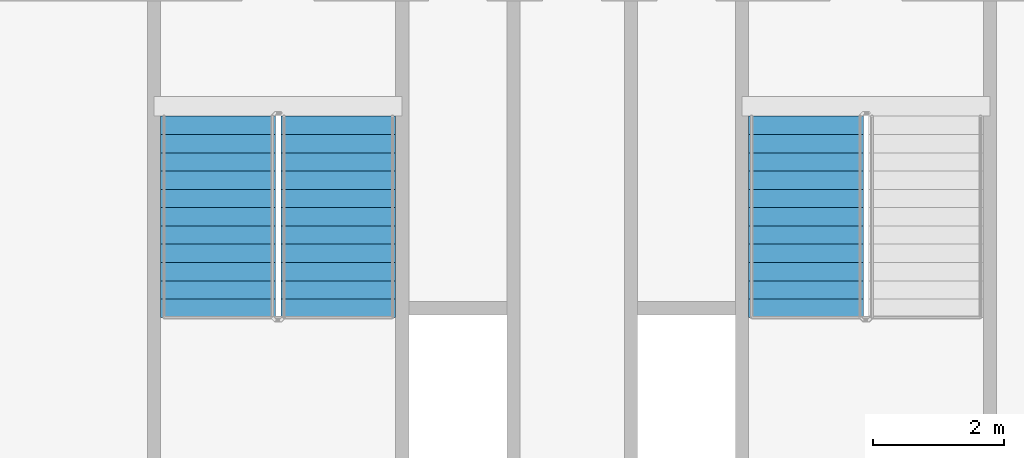
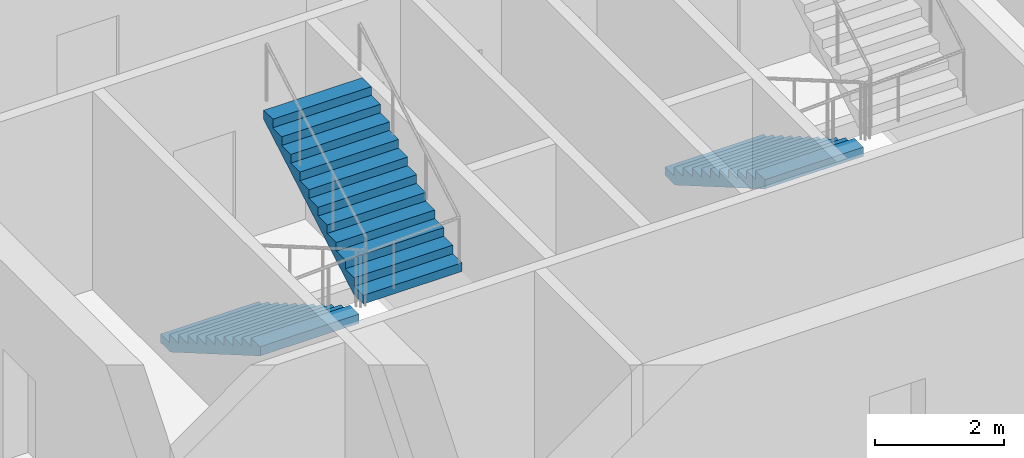
# One storey, part 15 of 22: 3 stair flights, 2 elements without a shape of their own.
"""IFC4 building model written with IfcOpenShell, lengths in metres."""

from ifc_helpers import new_model, si_unit, direction, frame, origin, place, context, subcontext, project, spatial, faceted_brep, material, type_object, element, aggregate, save


model = new_model("IFC4")

# Units and contexts
model_context = context("Model", 3, precision=1e-05, world=origin(), true_north=direction((0.0, 1.0)))
body_context = subcontext(model_context, "Body", "Model", "MODEL_VIEW")
ifc_project = project(units=[si_unit("LENGTHUNIT", "METRE"), si_unit("AREAUNIT", "SQUARE_METRE"), si_unit("VOLUMEUNIT", "CUBIC_METRE"), si_unit("PLANEANGLEUNIT", "RADIAN"), si_unit("MASSUNIT", "GRAM", prefix="KILO")], contexts=[model_context])

# Site, building, storey
site_placement = place(None, origin())
site = spatial("IfcSite", under=ifc_project, at=site_placement, CompositionType="ELEMENT")
building_placement = place(site_placement, origin())
building = spatial("IfcBuilding", under=site, at=building_placement, Name="Tarsis Ring Headquarters", CompositionType="ELEMENT")
storey_placement = place(building_placement, frame((0.0, 0.0, 339.199951171875)))
storey = spatial("IfcBuildingStorey", under=building, at=storey_placement, Name="L80", CompositionType="ELEMENT", Elevation=339.199951171875)

# Stair, stair flights
ifc_material_1 = material(Name="Core stair 1760")
stair_type = type_object("IfcStairType", Name="Core stair 1760", PredefinedType="HALF_TURN_STAIR", material=ifc_material_1)
stair_1_placement = place(storey_placement, origin())
stair_1 = element("IfcStair", 1, at=stair_1_placement, inside=storey, type_object=stair_type, Name="L80 Exit stair C", PredefinedType="HALF_TURN_STAIR")
ifc_material_2 = material(Name="Concrete C40/50", Category="concrete")
stair_flight_type = type_object("IfcStairFlightType", Name="Core stair flight 1760", PredefinedType="STRAIGHT", material=ifc_material_2)
stair_flight_1_placement = place(storey_placement, frame((-5.419921875, -3.659912109375, 0.0), z_axis=(0.0, 0.0, 1.0), x_axis=(0.0, -1.0, 0.0)))
stair_flight_1 = element("IfcStairFlight", 2, at=stair_flight_1_placement, type_object=stair_flight_type, Name="Stair ST3 flight 1", NumberOfRisers=12, NumberOfTreads=11, PredefinedType="STRAIGHT", RiserHeight=0.1625, TreadLength=0.28, context=body_context, shape_type="Brep", body=[
    faceted_brep([(0.0, 0.8798828125, 0.0), (0.0, 0.8798828125, 0.16259765625), (0.280029296875, 0.8798828125, 0.16259765625), (0.280029296875, 0.8798828125, 0.324951171875), (0.56005859375, 0.8798828125, 0.324951171875), (0.56005859375, 0.8798828125, 0.487548828125), (0.840087890625, 0.8798828125, 0.487548828125), (0.840087890625, 0.8798828125, 0.64990234375), (1.1201171875, 0.8798828125, 0.64990234375), (1.1201171875, 0.8798828125, 0.8125), (1.39990234375, 0.8798828125, 0.8125), (1.39990234375, 0.8798828125, 0.97509765625), (1.679931640625, 0.8798828125, 0.97509765625), (1.679931640625, 0.8798828125, 1.137451171875), (1.9599609375, 0.8798828125, 1.137451171875), (1.9599609375, 0.8798828125, 1.300048828125), (2.239990234375, 0.8798828125, 1.300048828125), (2.239990234375, 0.8798828125, 1.46240234375), (2.52001953125, 0.8798828125, 1.46240234375), (2.52001953125, 0.8798828125, 1.625), (2.800048828125, 0.8798828125, 1.625), (2.800048828125, 0.8798828125, 1.78759765625), (3.080078125, 0.8798828125, 1.78759765625), (3.080078125, 0.8798828125, 1.6142578125), (0.298583984375, 0.8798828125, 0.0), (0.298583984375, -0.8798828125, 0.0), (3.080078125, -0.8798828125, 1.6142578125), (3.080078125, -0.8798828125, 1.78759765625), (2.800048828125, -0.8798828125, 1.78759765625), (2.800048828125, -0.8798828125, 1.625), (2.52001953125, -0.8798828125, 1.625), (2.52001953125, -0.8798828125, 1.46240234375), (2.239990234375, -0.8798828125, 1.46240234375), (2.239990234375, -0.8798828125, 1.300048828125), (1.9599609375, -0.8798828125, 1.300048828125), (1.9599609375, -0.8798828125, 1.137451171875), (1.679931640625, -0.8798828125, 1.137451171875), (1.679931640625, -0.8798828125, 0.97509765625), (1.39990234375, -0.8798828125, 0.97509765625), (1.39990234375, -0.8798828125, 0.8125), (1.1201171875, -0.8798828125, 0.8125), (1.1201171875, -0.8798828125, 0.64990234375), (0.840087890625, -0.8798828125, 0.64990234375), (0.840087890625, -0.8798828125, 0.487548828125), (0.56005859375, -0.8798828125, 0.487548828125), (0.56005859375, -0.8798828125, 0.324951171875), (0.280029296875, -0.8798828125, 0.324951171875), (0.280029296875, -0.8798828125, 0.16259765625), (0.0, -0.8798828125, 0.16259765625), (0.0, -0.8798828125, 0.0), (0.0, -0.43994140625, 0.16259765625), (0.0, -0.43994140625, 0.0), (0.0, 0.0, 0.16259765625), (0.0, 0.0, 0.0), (0.0, 0.43994140625, 0.16259765625), (0.0, 0.43994140625, 0.0), (0.280029296875, -0.43994140625, 0.16259765625), (0.280029296875, 0.0, 0.16259765625), (0.280029296875, 0.43994140625, 0.16259765625), (0.280029296875, -0.43994140625, 0.324951171875), (0.280029296875, 0.0, 0.324951171875), (0.280029296875, 0.43994140625, 0.324951171875), (0.56005859375, -0.43994140625, 0.324951171875), (0.56005859375, 0.0, 0.324951171875), (0.56005859375, 0.43994140625, 0.324951171875), (0.56005859375, -0.43994140625, 0.487548828125), (0.56005859375, 0.0, 0.487548828125), (0.56005859375, 0.43994140625, 0.487548828125), (0.840087890625, -0.43994140625, 0.487548828125), (0.840087890625, 0.0, 0.487548828125), (0.840087890625, 0.43994140625, 0.487548828125), (0.840087890625, -0.43994140625, 0.64990234375), (0.840087890625, 0.0, 0.64990234375), (0.840087890625, 0.43994140625, 0.64990234375), (1.1201171875, -0.43994140625, 0.64990234375), (1.1201171875, 0.0, 0.64990234375), (1.1201171875, 0.43994140625, 0.64990234375), (1.1201171875, -0.43994140625, 0.8125), (1.1201171875, 0.0, 0.8125), (1.1201171875, 0.43994140625, 0.8125), (1.39990234375, -0.43994140625, 0.8125), (1.39990234375, 0.0, 0.8125), (1.39990234375, 0.43994140625, 0.8125), (1.39990234375, -0.43994140625, 0.97509765625), (1.39990234375, 0.0, 0.97509765625), (1.39990234375, 0.43994140625, 0.97509765625), (1.679931640625, -0.43994140625, 0.97509765625), (1.679931640625, 0.0, 0.97509765625), (1.679931640625, 0.43994140625, 0.97509765625), (1.679931640625, -0.43994140625, 1.137451171875), (1.679931640625, 0.0, 1.137451171875), (1.679931640625, 0.43994140625, 1.137451171875), (1.9599609375, -0.43994140625, 1.137451171875), (1.9599609375, 0.0, 1.137451171875), (1.9599609375, 0.43994140625, 1.137451171875), (1.9599609375, -0.43994140625, 1.300048828125), (1.9599609375, 0.0, 1.300048828125), (1.9599609375, 0.43994140625, 1.300048828125), (2.239990234375, -0.43994140625, 1.300048828125), (2.239990234375, 0.0, 1.300048828125), (2.239990234375, 0.43994140625, 1.300048828125), (2.239990234375, -0.43994140625, 1.46240234375), (2.239990234375, 0.0, 1.46240234375), (2.239990234375, 0.43994140625, 1.46240234375), (2.52001953125, -0.43994140625, 1.46240234375), (2.52001953125, 0.0, 1.46240234375), (2.52001953125, 0.43994140625, 1.46240234375), (2.52001953125, -0.43994140625, 1.625), (2.52001953125, 0.0, 1.625), (2.52001953125, 0.43994140625, 1.625), (2.800048828125, -0.43994140625, 1.625), (2.800048828125, 0.0, 1.625), (2.800048828125, 0.43994140625, 1.625), (2.800048828125, -0.43994140625, 1.78759765625), (2.800048828125, 0.0, 1.78759765625), (2.800048828125, 0.43994140625, 1.78759765625), (3.080078125, -0.43994140625, 1.78759765625), (3.080078125, 0.0, 1.78759765625), (3.080078125, 0.43994140625, 1.78759765625), (3.080078125, -0.43994140625, 1.6142578125), (3.080078125, 0.0, 1.6142578125), (3.080078125, 0.43994140625, 1.6142578125), (0.298583984375, -0.43994140625, 0.0), (0.298583984375, 0.0, 0.0), (0.298583984375, 0.43994140625, 0.0)], [[[0, 1, 2, 3, 4, 5, 6, 7, 8, 9, 10, 11, 12, 13, 14, 15, 16, 17, 18, 19, 20, 21, 22, 23, 24]], [[25, 26, 27, 28, 29, 30, 31, 32, 33, 34, 35, 36, 37, 38, 39, 40, 41, 42, 43, 44, 45, 46, 47, 48, 49]], [[49, 48, 50, 51]], [[51, 50, 52, 53]], [[53, 52, 54, 55]], [[55, 54, 1, 0]], [[48, 47, 56, 50]], [[50, 56, 57, 52]], [[52, 57, 58, 54]], [[54, 58, 2, 1]], [[47, 46, 59, 56]], [[56, 59, 60, 57]], [[57, 60, 61, 58]], [[58, 61, 3, 2]], [[46, 45, 62, 59]], [[59, 62, 63, 60]], [[60, 63, 64, 61]], [[61, 64, 4, 3]], [[45, 44, 65, 62]], [[62, 65, 66, 63]], [[63, 66, 67, 64]], [[64, 67, 5, 4]], [[44, 43, 68, 65]], [[65, 68, 69, 66]], [[66, 69, 70, 67]], [[67, 70, 6, 5]], [[43, 42, 71, 68]], [[68, 71, 72, 69]], [[69, 72, 73, 70]], [[70, 73, 7, 6]], [[42, 41, 74, 71]], [[71, 74, 75, 72]], [[72, 75, 76, 73]], [[73, 76, 8, 7]], [[41, 40, 77, 74]], [[74, 77, 78, 75]], [[75, 78, 79, 76]], [[76, 79, 9, 8]], [[40, 39, 80, 77]], [[77, 80, 81, 78]], [[78, 81, 82, 79]], [[79, 82, 10, 9]], [[39, 38, 83, 80]], [[80, 83, 84, 81]], [[81, 84, 85, 82]], [[82, 85, 11, 10]], [[38, 37, 86, 83]], [[83, 86, 87, 84]], [[84, 87, 88, 85]], [[85, 88, 12, 11]], [[37, 36, 89, 86]], [[86, 89, 90, 87]], [[87, 90, 91, 88]], [[88, 91, 13, 12]], [[36, 35, 92, 89]], [[89, 92, 93, 90]], [[90, 93, 94, 91]], [[91, 94, 14, 13]], [[35, 34, 95, 92]], [[92, 95, 96, 93]], [[93, 96, 97, 94]], [[94, 97, 15, 14]], [[34, 33, 98, 95]], [[95, 98, 99, 96]], [[96, 99, 100, 97]], [[97, 100, 16, 15]], [[33, 32, 101, 98]], [[98, 101, 102, 99]], [[99, 102, 103, 100]], [[100, 103, 17, 16]], [[32, 31, 104, 101]], [[101, 104, 105, 102]], [[102, 105, 106, 103]], [[103, 106, 18, 17]], [[31, 30, 107, 104]], [[104, 107, 108, 105]], [[105, 108, 109, 106]], [[106, 109, 19, 18]], [[30, 29, 110, 107]], [[107, 110, 111, 108]], [[108, 111, 112, 109]], [[109, 112, 20, 19]], [[29, 28, 113, 110]], [[110, 113, 114, 111]], [[111, 114, 115, 112]], [[112, 115, 21, 20]], [[28, 27, 116, 113]], [[113, 116, 117, 114]], [[114, 117, 118, 115]], [[115, 118, 22, 21]], [[27, 26, 119, 116]], [[116, 119, 120, 117]], [[117, 120, 121, 118]], [[118, 121, 23, 22]], [[26, 25, 122, 119]], [[119, 122, 123, 120]], [[120, 123, 124, 121]], [[121, 124, 24, 23]], [[25, 49, 51, 122]], [[122, 51, 53, 123]], [[123, 53, 55, 124]], [[124, 55, 0, 24]]]),
])
stair_flight_2_placement = place(storey_placement, frame((-3.580078125, -6.739990234375, 1.949951171875), z_axis=(0.0, 0.0, 1.0), x_axis=(0.0, 1.0, 0.0)))
stair_flight_2 = element("IfcStairFlight", 3, at=stair_flight_2_placement, type_object=stair_flight_type, Name="Stair ST3 flight 2", NumberOfRisers=12, NumberOfTreads=11, PredefinedType="STRAIGHT", RiserHeight=0.1625, TreadLength=0.28, context=body_context, shape_type="Brep", body=[
    faceted_brep([(0.0, 0.8798828125, 0.0), (0.0, 0.8798828125, 0.16259765625), (0.280029296875, 0.8798828125, 0.16259765625), (0.280029296875, 0.8798828125, 0.324951171875), (0.56005859375, 0.8798828125, 0.324951171875), (0.56005859375, 0.8798828125, 0.487548828125), (0.840087890625, 0.8798828125, 0.487548828125), (0.840087890625, 0.8798828125, 0.64990234375), (1.1201171875, 0.8798828125, 0.64990234375), (1.1201171875, 0.8798828125, 0.8125), (1.39990234375, 0.8798828125, 0.8125), (1.39990234375, 0.8798828125, 0.97509765625), (1.679931640625, 0.8798828125, 0.97509765625), (1.679931640625, 0.8798828125, 1.137451171875), (1.9599609375, 0.8798828125, 1.137451171875), (1.9599609375, 0.8798828125, 1.300048828125), (2.239990234375, 0.8798828125, 1.300048828125), (2.239990234375, 0.8798828125, 1.46240234375), (2.52001953125, 0.8798828125, 1.46240234375), (2.52001953125, 0.8798828125, 1.625), (2.800048828125, 0.8798828125, 1.625), (2.800048828125, 0.8798828125, 1.78759765625), (3.080078125, 0.8798828125, 1.78759765625), (3.080078125, 0.8798828125, 1.6142578125), (0.298583984375, 0.8798828125, 0.0), (0.298583984375, -0.8798828125, 0.0), (3.080078125, -0.8798828125, 1.6142578125), (3.080078125, -0.8798828125, 1.78759765625), (2.800048828125, -0.8798828125, 1.78759765625), (2.800048828125, -0.8798828125, 1.625), (2.52001953125, -0.8798828125, 1.625), (2.52001953125, -0.8798828125, 1.46240234375), (2.239990234375, -0.8798828125, 1.46240234375), (2.239990234375, -0.8798828125, 1.300048828125), (1.9599609375, -0.8798828125, 1.300048828125), (1.9599609375, -0.8798828125, 1.137451171875), (1.679931640625, -0.8798828125, 1.137451171875), (1.679931640625, -0.8798828125, 0.97509765625), (1.39990234375, -0.8798828125, 0.97509765625), (1.39990234375, -0.8798828125, 0.8125), (1.1201171875, -0.8798828125, 0.8125), (1.1201171875, -0.8798828125, 0.64990234375), (0.840087890625, -0.8798828125, 0.64990234375), (0.840087890625, -0.8798828125, 0.487548828125), (0.56005859375, -0.8798828125, 0.487548828125), (0.56005859375, -0.8798828125, 0.324951171875), (0.280029296875, -0.8798828125, 0.324951171875), (0.280029296875, -0.8798828125, 0.16259765625), (0.0, -0.8798828125, 0.16259765625), (0.0, -0.8798828125, 0.0), (0.0, -0.43994140625, 0.16259765625), (0.0, -0.43994140625, 0.0), (0.0, 0.0, 0.16259765625), (0.0, 0.0, 0.0), (0.0, 0.43994140625, 0.16259765625), (0.0, 0.43994140625, 0.0), (0.280029296875, -0.43994140625, 0.16259765625), (0.280029296875, 0.0, 0.16259765625), (0.280029296875, 0.43994140625, 0.16259765625), (0.280029296875, -0.43994140625, 0.324951171875), (0.280029296875, 0.0, 0.324951171875), (0.280029296875, 0.43994140625, 0.324951171875), (0.56005859375, -0.43994140625, 0.324951171875), (0.56005859375, 0.0, 0.324951171875), (0.56005859375, 0.43994140625, 0.324951171875), (0.56005859375, -0.43994140625, 0.487548828125), (0.56005859375, 0.0, 0.487548828125), (0.56005859375, 0.43994140625, 0.487548828125), (0.840087890625, -0.43994140625, 0.487548828125), (0.840087890625, 0.0, 0.487548828125), (0.840087890625, 0.43994140625, 0.487548828125), (0.840087890625, -0.43994140625, 0.64990234375), (0.840087890625, 0.0, 0.64990234375), (0.840087890625, 0.43994140625, 0.64990234375), (1.1201171875, -0.43994140625, 0.64990234375), (1.1201171875, 0.0, 0.64990234375), (1.1201171875, 0.43994140625, 0.64990234375), (1.1201171875, -0.43994140625, 0.8125), (1.1201171875, 0.0, 0.8125), (1.1201171875, 0.43994140625, 0.8125), (1.39990234375, -0.43994140625, 0.8125), (1.39990234375, 0.0, 0.8125), (1.39990234375, 0.43994140625, 0.8125), (1.39990234375, -0.43994140625, 0.97509765625), (1.39990234375, 0.0, 0.97509765625), (1.39990234375, 0.43994140625, 0.97509765625), (1.679931640625, -0.43994140625, 0.97509765625), (1.679931640625, 0.0, 0.97509765625), (1.679931640625, 0.43994140625, 0.97509765625), (1.679931640625, -0.43994140625, 1.137451171875), (1.679931640625, 0.0, 1.137451171875), (1.679931640625, 0.43994140625, 1.137451171875), (1.9599609375, -0.43994140625, 1.137451171875), (1.9599609375, 0.0, 1.137451171875), (1.9599609375, 0.43994140625, 1.137451171875), (1.9599609375, -0.43994140625, 1.300048828125), (1.9599609375, 0.0, 1.300048828125), (1.9599609375, 0.43994140625, 1.300048828125), (2.239990234375, -0.43994140625, 1.300048828125), (2.239990234375, 0.0, 1.300048828125), (2.239990234375, 0.43994140625, 1.300048828125), (2.239990234375, -0.43994140625, 1.46240234375), (2.239990234375, 0.0, 1.46240234375), (2.239990234375, 0.43994140625, 1.46240234375), (2.52001953125, -0.43994140625, 1.46240234375), (2.52001953125, 0.0, 1.46240234375), (2.52001953125, 0.43994140625, 1.46240234375), (2.52001953125, -0.43994140625, 1.625), (2.52001953125, 0.0, 1.625), (2.52001953125, 0.43994140625, 1.625), (2.800048828125, -0.43994140625, 1.625), (2.800048828125, 0.0, 1.625), (2.800048828125, 0.43994140625, 1.625), (2.800048828125, -0.43994140625, 1.78759765625), (2.800048828125, 0.0, 1.78759765625), (2.800048828125, 0.43994140625, 1.78759765625), (3.080078125, -0.43994140625, 1.78759765625), (3.080078125, 0.0, 1.78759765625), (3.080078125, 0.43994140625, 1.78759765625), (3.080078125, -0.43994140625, 1.6142578125), (3.080078125, 0.0, 1.6142578125), (3.080078125, 0.43994140625, 1.6142578125), (0.298583984375, -0.43994140625, 0.0), (0.298583984375, 0.0, 0.0), (0.298583984375, 0.43994140625, 0.0)], [[[0, 1, 2, 3, 4, 5, 6, 7, 8, 9, 10, 11, 12, 13, 14, 15, 16, 17, 18, 19, 20, 21, 22, 23, 24]], [[25, 26, 27, 28, 29, 30, 31, 32, 33, 34, 35, 36, 37, 38, 39, 40, 41, 42, 43, 44, 45, 46, 47, 48, 49]], [[49, 48, 50, 51]], [[51, 50, 52, 53]], [[53, 52, 54, 55]], [[55, 54, 1, 0]], [[48, 47, 56, 50]], [[50, 56, 57, 52]], [[52, 57, 58, 54]], [[54, 58, 2, 1]], [[47, 46, 59, 56]], [[56, 59, 60, 57]], [[57, 60, 61, 58]], [[58, 61, 3, 2]], [[46, 45, 62, 59]], [[59, 62, 63, 60]], [[60, 63, 64, 61]], [[61, 64, 4, 3]], [[45, 44, 65, 62]], [[62, 65, 66, 63]], [[63, 66, 67, 64]], [[64, 67, 5, 4]], [[44, 43, 68, 65]], [[65, 68, 69, 66]], [[66, 69, 70, 67]], [[67, 70, 6, 5]], [[43, 42, 71, 68]], [[68, 71, 72, 69]], [[69, 72, 73, 70]], [[70, 73, 7, 6]], [[42, 41, 74, 71]], [[71, 74, 75, 72]], [[72, 75, 76, 73]], [[73, 76, 8, 7]], [[41, 40, 77, 74]], [[74, 77, 78, 75]], [[75, 78, 79, 76]], [[76, 79, 9, 8]], [[40, 39, 80, 77]], [[77, 80, 81, 78]], [[78, 81, 82, 79]], [[79, 82, 10, 9]], [[39, 38, 83, 80]], [[80, 83, 84, 81]], [[81, 84, 85, 82]], [[82, 85, 11, 10]], [[38, 37, 86, 83]], [[83, 86, 87, 84]], [[84, 87, 88, 85]], [[85, 88, 12, 11]], [[37, 36, 89, 86]], [[86, 89, 90, 87]], [[87, 90, 91, 88]], [[88, 91, 13, 12]], [[36, 35, 92, 89]], [[89, 92, 93, 90]], [[90, 93, 94, 91]], [[91, 94, 14, 13]], [[35, 34, 95, 92]], [[92, 95, 96, 93]], [[93, 96, 97, 94]], [[94, 97, 15, 14]], [[34, 33, 98, 95]], [[95, 98, 99, 96]], [[96, 99, 100, 97]], [[97, 100, 16, 15]], [[33, 32, 101, 98]], [[98, 101, 102, 99]], [[99, 102, 103, 100]], [[100, 103, 17, 16]], [[32, 31, 104, 101]], [[101, 104, 105, 102]], [[102, 105, 106, 103]], [[103, 106, 18, 17]], [[31, 30, 107, 104]], [[104, 107, 108, 105]], [[105, 108, 109, 106]], [[106, 109, 19, 18]], [[30, 29, 110, 107]], [[107, 110, 111, 108]], [[108, 111, 112, 109]], [[109, 112, 20, 19]], [[29, 28, 113, 110]], [[110, 113, 114, 111]], [[111, 114, 115, 112]], [[112, 115, 21, 20]], [[28, 27, 116, 113]], [[113, 116, 117, 114]], [[114, 117, 118, 115]], [[115, 118, 22, 21]], [[27, 26, 119, 116]], [[116, 119, 120, 117]], [[117, 120, 121, 118]], [[118, 121, 23, 22]], [[26, 25, 122, 119]], [[119, 122, 123, 120]], [[120, 123, 124, 121]], [[121, 124, 24, 23]], [[25, 49, 51, 122]], [[122, 51, 53, 123]], [[123, 53, 55, 124]], [[124, 55, 0, 24]]]),
])
aggregate(stair_1, [stair_flight_1, stair_flight_2])

# Stair, stair flight
stair_2_placement = place(storey_placement, origin())
stair_2 = element("IfcStair", 4, at=stair_2_placement, inside=storey, type_object=stair_type, Name="L80 Exit stair D", PredefinedType="HALF_TURN_STAIR")
stair_flight_3_placement = place(storey_placement, frame((3.580078125, -3.659912109375, 0.0), z_axis=(0.0, 0.0, 1.0), x_axis=(0.0, -1.0, 0.0)))
stair_flight_3 = element("IfcStairFlight", 5, at=stair_flight_3_placement, type_object=stair_flight_type, Name="Stair ST4 flight 1", NumberOfRisers=12, NumberOfTreads=11, PredefinedType="STRAIGHT", RiserHeight=0.1625, TreadLength=0.28, context=body_context, shape_type="Brep", body=[
    faceted_brep([(0.0, 0.8798828125, 0.0), (0.0, 0.8798828125, 0.16259765625), (0.280029296875, 0.8798828125, 0.16259765625), (0.280029296875, 0.8798828125, 0.324951171875), (0.56005859375, 0.8798828125, 0.324951171875), (0.56005859375, 0.8798828125, 0.487548828125), (0.840087890625, 0.8798828125, 0.487548828125), (0.840087890625, 0.8798828125, 0.64990234375), (1.1201171875, 0.8798828125, 0.64990234375), (1.1201171875, 0.8798828125, 0.8125), (1.39990234375, 0.8798828125, 0.8125), (1.39990234375, 0.8798828125, 0.97509765625), (1.679931640625, 0.8798828125, 0.97509765625), (1.679931640625, 0.8798828125, 1.137451171875), (1.9599609375, 0.8798828125, 1.137451171875), (1.9599609375, 0.8798828125, 1.300048828125), (2.239990234375, 0.8798828125, 1.300048828125), (2.239990234375, 0.8798828125, 1.46240234375), (2.52001953125, 0.8798828125, 1.46240234375), (2.52001953125, 0.8798828125, 1.625), (2.800048828125, 0.8798828125, 1.625), (2.800048828125, 0.8798828125, 1.78759765625), (3.080078125, 0.8798828125, 1.78759765625), (3.080078125, 0.8798828125, 1.6142578125), (0.298583984375, 0.8798828125, 0.0), (0.298583984375, -0.8798828125, 0.0), (3.080078125, -0.8798828125, 1.6142578125), (3.080078125, -0.8798828125, 1.78759765625), (2.800048828125, -0.8798828125, 1.78759765625), (2.800048828125, -0.8798828125, 1.625), (2.52001953125, -0.8798828125, 1.625), (2.52001953125, -0.8798828125, 1.46240234375), (2.239990234375, -0.8798828125, 1.46240234375), (2.239990234375, -0.8798828125, 1.300048828125), (1.9599609375, -0.8798828125, 1.300048828125), (1.9599609375, -0.8798828125, 1.137451171875), (1.679931640625, -0.8798828125, 1.137451171875), (1.679931640625, -0.8798828125, 0.97509765625), (1.39990234375, -0.8798828125, 0.97509765625), (1.39990234375, -0.8798828125, 0.8125), (1.1201171875, -0.8798828125, 0.8125), (1.1201171875, -0.8798828125, 0.64990234375), (0.840087890625, -0.8798828125, 0.64990234375), (0.840087890625, -0.8798828125, 0.487548828125), (0.56005859375, -0.8798828125, 0.487548828125), (0.56005859375, -0.8798828125, 0.324951171875), (0.280029296875, -0.8798828125, 0.324951171875), (0.280029296875, -0.8798828125, 0.16259765625), (0.0, -0.8798828125, 0.16259765625), (0.0, -0.8798828125, 0.0), (0.0, -0.43994140625, 0.16259765625), (0.0, -0.43994140625, 0.0), (0.0, 0.0, 0.16259765625), (0.0, 0.0, 0.0), (0.0, 0.43994140625, 0.16259765625), (0.0, 0.43994140625, 0.0), (0.280029296875, -0.43994140625, 0.16259765625), (0.280029296875, 0.0, 0.16259765625), (0.280029296875, 0.43994140625, 0.16259765625), (0.280029296875, -0.43994140625, 0.324951171875), (0.280029296875, 0.0, 0.324951171875), (0.280029296875, 0.43994140625, 0.324951171875), (0.56005859375, -0.43994140625, 0.324951171875), (0.56005859375, 0.0, 0.324951171875), (0.56005859375, 0.43994140625, 0.324951171875), (0.56005859375, -0.43994140625, 0.487548828125), (0.56005859375, 0.0, 0.487548828125), (0.56005859375, 0.43994140625, 0.487548828125), (0.840087890625, -0.43994140625, 0.487548828125), (0.840087890625, 0.0, 0.487548828125), (0.840087890625, 0.43994140625, 0.487548828125), (0.840087890625, -0.43994140625, 0.64990234375), (0.840087890625, 0.0, 0.64990234375), (0.840087890625, 0.43994140625, 0.64990234375), (1.1201171875, -0.43994140625, 0.64990234375), (1.1201171875, 0.0, 0.64990234375), (1.1201171875, 0.43994140625, 0.64990234375), (1.1201171875, -0.43994140625, 0.8125), (1.1201171875, 0.0, 0.8125), (1.1201171875, 0.43994140625, 0.8125), (1.39990234375, -0.43994140625, 0.8125), (1.39990234375, 0.0, 0.8125), (1.39990234375, 0.43994140625, 0.8125), (1.39990234375, -0.43994140625, 0.97509765625), (1.39990234375, 0.0, 0.97509765625), (1.39990234375, 0.43994140625, 0.97509765625), (1.679931640625, -0.43994140625, 0.97509765625), (1.679931640625, 0.0, 0.97509765625), (1.679931640625, 0.43994140625, 0.97509765625), (1.679931640625, -0.43994140625, 1.137451171875), (1.679931640625, 0.0, 1.137451171875), (1.679931640625, 0.43994140625, 1.137451171875), (1.9599609375, -0.43994140625, 1.137451171875), (1.9599609375, 0.0, 1.137451171875), (1.9599609375, 0.43994140625, 1.137451171875), (1.9599609375, -0.43994140625, 1.300048828125), (1.9599609375, 0.0, 1.300048828125), (1.9599609375, 0.43994140625, 1.300048828125), (2.239990234375, -0.43994140625, 1.300048828125), (2.239990234375, 0.0, 1.300048828125), (2.239990234375, 0.43994140625, 1.300048828125), (2.239990234375, -0.43994140625, 1.46240234375), (2.239990234375, 0.0, 1.46240234375), (2.239990234375, 0.43994140625, 1.46240234375), (2.52001953125, -0.43994140625, 1.46240234375), (2.52001953125, 0.0, 1.46240234375), (2.52001953125, 0.43994140625, 1.46240234375), (2.52001953125, -0.43994140625, 1.625), (2.52001953125, 0.0, 1.625), (2.52001953125, 0.43994140625, 1.625), (2.800048828125, -0.43994140625, 1.625), (2.800048828125, 0.0, 1.625), (2.800048828125, 0.43994140625, 1.625), (2.800048828125, -0.43994140625, 1.78759765625), (2.800048828125, 0.0, 1.78759765625), (2.800048828125, 0.43994140625, 1.78759765625), (3.080078125, -0.43994140625, 1.78759765625), (3.080078125, 0.0, 1.78759765625), (3.080078125, 0.43994140625, 1.78759765625), (3.080078125, -0.43994140625, 1.6142578125), (3.080078125, 0.0, 1.6142578125), (3.080078125, 0.43994140625, 1.6142578125), (0.298583984375, -0.43994140625, 0.0), (0.298583984375, 0.0, 0.0), (0.298583984375, 0.43994140625, 0.0)], [[[0, 1, 2, 3, 4, 5, 6, 7, 8, 9, 10, 11, 12, 13, 14, 15, 16, 17, 18, 19, 20, 21, 22, 23, 24]], [[25, 26, 27, 28, 29, 30, 31, 32, 33, 34, 35, 36, 37, 38, 39, 40, 41, 42, 43, 44, 45, 46, 47, 48, 49]], [[49, 48, 50, 51]], [[51, 50, 52, 53]], [[53, 52, 54, 55]], [[55, 54, 1, 0]], [[48, 47, 56, 50]], [[50, 56, 57, 52]], [[52, 57, 58, 54]], [[54, 58, 2, 1]], [[47, 46, 59, 56]], [[56, 59, 60, 57]], [[57, 60, 61, 58]], [[58, 61, 3, 2]], [[46, 45, 62, 59]], [[59, 62, 63, 60]], [[60, 63, 64, 61]], [[61, 64, 4, 3]], [[45, 44, 65, 62]], [[62, 65, 66, 63]], [[63, 66, 67, 64]], [[64, 67, 5, 4]], [[44, 43, 68, 65]], [[65, 68, 69, 66]], [[66, 69, 70, 67]], [[67, 70, 6, 5]], [[43, 42, 71, 68]], [[68, 71, 72, 69]], [[69, 72, 73, 70]], [[70, 73, 7, 6]], [[42, 41, 74, 71]], [[71, 74, 75, 72]], [[72, 75, 76, 73]], [[73, 76, 8, 7]], [[41, 40, 77, 74]], [[74, 77, 78, 75]], [[75, 78, 79, 76]], [[76, 79, 9, 8]], [[40, 39, 80, 77]], [[77, 80, 81, 78]], [[78, 81, 82, 79]], [[79, 82, 10, 9]], [[39, 38, 83, 80]], [[80, 83, 84, 81]], [[81, 84, 85, 82]], [[82, 85, 11, 10]], [[38, 37, 86, 83]], [[83, 86, 87, 84]], [[84, 87, 88, 85]], [[85, 88, 12, 11]], [[37, 36, 89, 86]], [[86, 89, 90, 87]], [[87, 90, 91, 88]], [[88, 91, 13, 12]], [[36, 35, 92, 89]], [[89, 92, 93, 90]], [[90, 93, 94, 91]], [[91, 94, 14, 13]], [[35, 34, 95, 92]], [[92, 95, 96, 93]], [[93, 96, 97, 94]], [[94, 97, 15, 14]], [[34, 33, 98, 95]], [[95, 98, 99, 96]], [[96, 99, 100, 97]], [[97, 100, 16, 15]], [[33, 32, 101, 98]], [[98, 101, 102, 99]], [[99, 102, 103, 100]], [[100, 103, 17, 16]], [[32, 31, 104, 101]], [[101, 104, 105, 102]], [[102, 105, 106, 103]], [[103, 106, 18, 17]], [[31, 30, 107, 104]], [[104, 107, 108, 105]], [[105, 108, 109, 106]], [[106, 109, 19, 18]], [[30, 29, 110, 107]], [[107, 110, 111, 108]], [[108, 111, 112, 109]], [[109, 112, 20, 19]], [[29, 28, 113, 110]], [[110, 113, 114, 111]], [[111, 114, 115, 112]], [[112, 115, 21, 20]], [[28, 27, 116, 113]], [[113, 116, 117, 114]], [[114, 117, 118, 115]], [[115, 118, 22, 21]], [[27, 26, 119, 116]], [[116, 119, 120, 117]], [[117, 120, 121, 118]], [[118, 121, 23, 22]], [[26, 25, 122, 119]], [[119, 122, 123, 120]], [[120, 123, 124, 121]], [[121, 124, 24, 23]], [[25, 49, 51, 122]], [[122, 51, 53, 123]], [[123, 53, 55, 124]], [[124, 55, 0, 24]]]),
])
aggregate(stair_2, [stair_flight_3])

save(model, "model.ifc")
